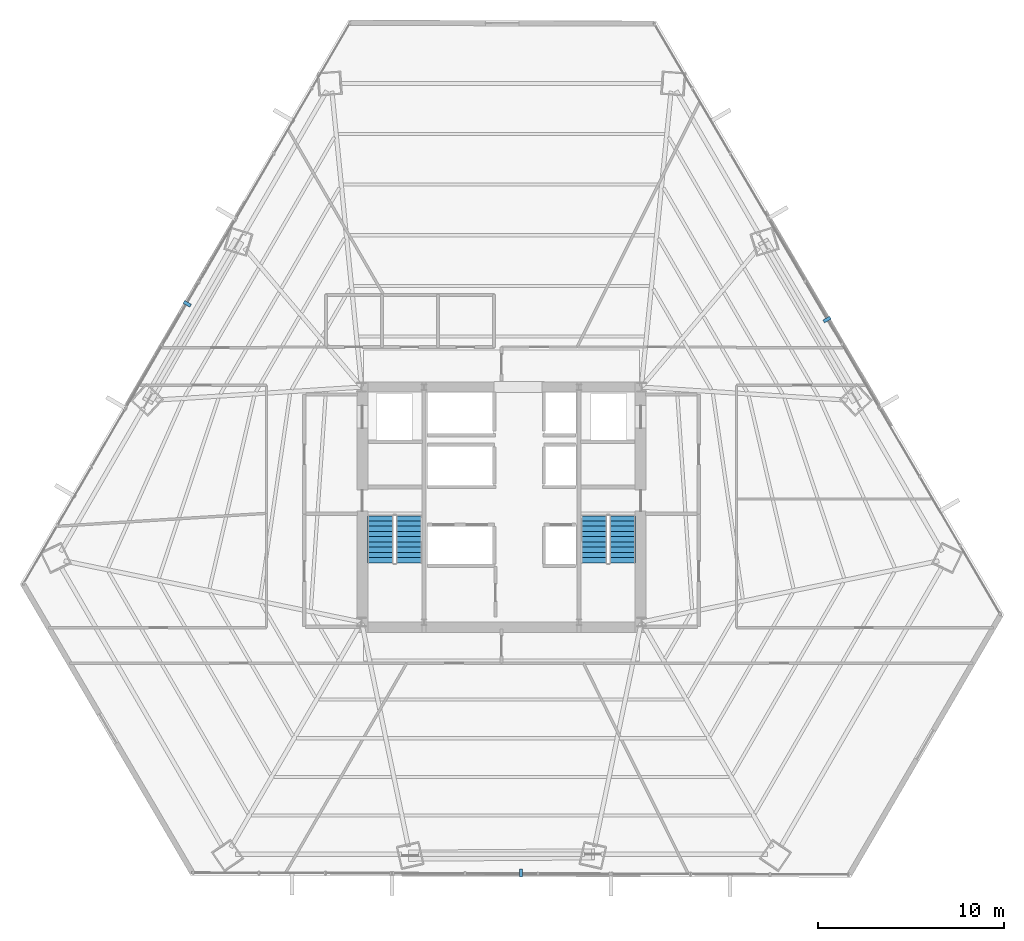
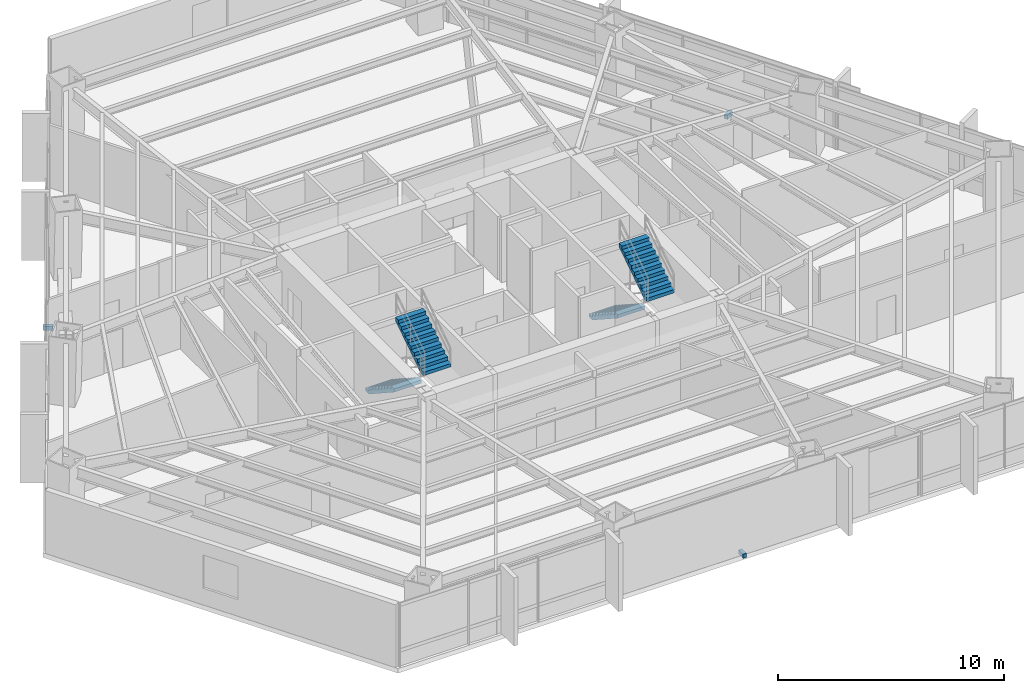
# One storey, part 26 of 29: 4 stair flights, 3 discrete accessories, 2 elements without a shape of their own.
"""IFC4 building model written with IfcOpenShell, lengths in metres."""

from ifc_helpers import new_model, si_unit, direction, frame, origin, origin_2d, place, context, subcontext, project, spatial, polyline, rectangle, outline, extrude, source, transform, mapped, material, type_object, type_shapes, element, aggregate, save


model = new_model("IFC4")

# Units and contexts
model_context = context("Model", 3, precision=1e-05, world=origin(), true_north=direction((0.0, 1.0)))
body_context = subcontext(model_context, "Body", "Model", "MODEL_VIEW")
ifc_project = project(units=[si_unit("LENGTHUNIT", "METRE"), si_unit("AREAUNIT", "SQUARE_METRE"), si_unit("VOLUMEUNIT", "CUBIC_METRE"), si_unit("PLANEANGLEUNIT", "RADIAN"), si_unit("MASSUNIT", "GRAM", prefix="KILO")], contexts=[model_context])

# Site, building, storey
site_placement = place(None, origin())
site = spatial("IfcSite", under=ifc_project, at=site_placement, CompositionType="ELEMENT")
building_placement = place(site_placement, origin())
building = spatial("IfcBuilding", under=site, at=building_placement, Name="Caelisora Broadcast Tower", CompositionType="ELEMENT")
storey_placement = place(building_placement, frame((0.0, 0.0, 31.25)))
storey = spatial("IfcBuildingStorey", under=building, at=storey_placement, Name="L07", CompositionType="ELEMENT", Elevation=31.25)

# Stair, stair flights
ifc_material_1 = material(Name="Concrete 40 MPa (AS 3600 N40)", Category="concrete")
stair_type_1 = type_object("IfcStairType", Name="ST-1", PredefinedType="HALF_TURN_STAIR", material=ifc_material_1)
stair_1_placement = place(storey_placement, origin())
stair_1 = element("IfcStair", 1, at=stair_1_placement, inside=storey, type_object=stair_type_1, Name="L07 West Fire-Isolated Tower Stair", PredefinedType="HALF_TURN_STAIR")
stair_flight_type = type_object("IfcStairFlightType", Name="STF-2", PredefinedType="STRAIGHT", material=ifc_material_1)
stair_flight_1_placement = place(storey_placement, frame((31.52001953125, 23.10009765625, 0.0), z_axis=(0.0, 0.0, 1.0), x_axis=(0.0, -1.0, 0.0)))
stair_flight_1 = element("IfcStairFlight", 2, at=stair_flight_1_placement, type_object=stair_flight_type, Name="ST-1 flight 1", NumberOfRisers=10, NumberOfTreads=9, PredefinedType="STRAIGHT", RiserHeight=0.1825, TreadLength=0.28, context=body_context, shape_type="SweptSolid", body=[
    extrude(outline(polyline([(0.0, 0.0), (0.0, 0.1826171875), (0.280029296875, 0.1826171875), (0.280029296875, 0.364990234375), (0.56005859375, 0.364990234375), (0.56005859375, 0.547607421875), (0.840087890625, 0.547607421875), (0.840087890625, 0.72998046875), (1.1201171875, 0.72998046875), (1.1201171875, 0.91259765625), (1.39990234375, 0.91259765625), (1.39990234375, 1.094970703125), (1.679931640625, 1.094970703125), (1.679931640625, 1.277587890625), (1.9599609375, 1.277587890625), (1.9599609375, 1.4599609375), (2.239990234375, 1.4599609375), (2.239990234375, 1.642578125), (2.52001953125, 1.642578125), (2.52001953125, 1.824951171875), (2.52001953125, 1.463623046875), (0.2744140625, 0.0), (0.0, 0.0)])), frame((0.0, 0.699951171875, 0.0), z_axis=(0.0, -1.0, 0.0), x_axis=(1.0, 0.0, 0.0)), (0.0, 0.0, 1.0), 1.39990234375),
])
stair_flight_2_placement = place(storey_placement, frame((33.0400390625, 20.580078125, 1.824951171875), z_axis=(0.0, 0.0, 1.0), x_axis=(0.0, 1.0, 0.0)))
stair_flight_2 = element("IfcStairFlight", 3, at=stair_flight_2_placement, type_object=stair_flight_type, Name="ST-1 flight 2", NumberOfRisers=10, NumberOfTreads=9, PredefinedType="STRAIGHT", RiserHeight=0.1825, TreadLength=0.28, context=body_context, shape_type="SweptSolid", body=[
    extrude(outline(polyline([(0.0, 0.0), (0.0, 0.1826171875), (0.280029296875, 0.1826171875), (0.280029296875, 0.364990234375), (0.56005859375, 0.364990234375), (0.56005859375, 0.547607421875), (0.840087890625, 0.547607421875), (0.840087890625, 0.72998046875), (1.1201171875, 0.72998046875), (1.1201171875, 0.91259765625), (1.39990234375, 0.91259765625), (1.39990234375, 1.094970703125), (1.679931640625, 1.094970703125), (1.679931640625, 1.277587890625), (1.9599609375, 1.277587890625), (1.9599609375, 1.4599609375), (2.239990234375, 1.4599609375), (2.239990234375, 1.642578125), (2.52001953125, 1.642578125), (2.52001953125, 1.824951171875), (2.52001953125, 1.463623046875), (0.2744140625, 0.0), (0.0, 0.0)])), frame((0.0, 0.699951171875, 0.0), z_axis=(0.0, -1.0, 0.0), x_axis=(1.0, 0.0, 0.0)), (0.0, 0.0, 1.0), 1.39990234375),
])
aggregate(stair_1, [stair_flight_1, stair_flight_2])

stair_type_2 = type_object("IfcStairType", Name="ST-2", PredefinedType="HALF_TURN_STAIR", material=ifc_material_1)
stair_2_placement = place(storey_placement, origin())
stair_2 = element("IfcStair", 4, at=stair_2_placement, inside=storey, type_object=stair_type_2, Name="L07 East Fire-Isolated Tower Stair", PredefinedType="HALF_TURN_STAIR")
stair_flight_3_placement = place(storey_placement, frame((42.9599609375, 23.10009765625, 0.0), z_axis=(0.0, 0.0, 1.0), x_axis=(0.0, -1.0, 0.0)))
stair_flight_3 = element("IfcStairFlight", 5, at=stair_flight_3_placement, type_object=stair_flight_type, Name="ST-2 flight 1", NumberOfRisers=10, NumberOfTreads=9, PredefinedType="STRAIGHT", RiserHeight=0.1825, TreadLength=0.28, context=body_context, shape_type="SweptSolid", body=[
    extrude(outline(polyline([(0.0, 0.0), (0.0, 0.1826171875), (0.280029296875, 0.1826171875), (0.280029296875, 0.364990234375), (0.56005859375, 0.364990234375), (0.56005859375, 0.547607421875), (0.840087890625, 0.547607421875), (0.840087890625, 0.72998046875), (1.1201171875, 0.72998046875), (1.1201171875, 0.91259765625), (1.39990234375, 0.91259765625), (1.39990234375, 1.094970703125), (1.679931640625, 1.094970703125), (1.679931640625, 1.277587890625), (1.9599609375, 1.277587890625), (1.9599609375, 1.4599609375), (2.239990234375, 1.4599609375), (2.239990234375, 1.642578125), (2.52001953125, 1.642578125), (2.52001953125, 1.824951171875), (2.52001953125, 1.463623046875), (0.2744140625, 0.0), (0.0, 0.0)])), frame((0.0, 0.699951171875, 0.0), z_axis=(0.0, -1.0, 0.0), x_axis=(1.0, 0.0, 0.0)), (0.0, 0.0, 1.0), 1.39990234375),
])
stair_flight_4_placement = place(storey_placement, frame((44.47998046875, 20.580078125, 1.824951171875), z_axis=(0.0, 0.0, 1.0), x_axis=(0.0, 1.0, 0.0)))
stair_flight_4 = element("IfcStairFlight", 6, at=stair_flight_4_placement, type_object=stair_flight_type, Name="ST-2 flight 2", NumberOfRisers=10, NumberOfTreads=9, PredefinedType="STRAIGHT", RiserHeight=0.1825, TreadLength=0.28, context=body_context, shape_type="SweptSolid", body=[
    extrude(outline(polyline([(0.0, 0.0), (0.0, 0.1826171875), (0.280029296875, 0.1826171875), (0.280029296875, 0.364990234375), (0.56005859375, 0.364990234375), (0.56005859375, 0.547607421875), (0.840087890625, 0.547607421875), (0.840087890625, 0.72998046875), (1.1201171875, 0.72998046875), (1.1201171875, 0.91259765625), (1.39990234375, 0.91259765625), (1.39990234375, 1.094970703125), (1.679931640625, 1.094970703125), (1.679931640625, 1.277587890625), (1.9599609375, 1.277587890625), (1.9599609375, 1.4599609375), (2.239990234375, 1.4599609375), (2.239990234375, 1.642578125), (2.52001953125, 1.642578125), (2.52001953125, 1.824951171875), (2.52001953125, 1.463623046875), (0.2744140625, 0.0), (0.0, 0.0)])), frame((0.0, 0.699951171875, 0.0), z_axis=(0.0, -1.0, 0.0), x_axis=(1.0, 0.0, 0.0)), (0.0, 0.0, 1.0), 1.39990234375),
])
aggregate(stair_2, [stair_flight_3, stair_flight_4])

# Discrete accessories
ifc_material_2 = material(Name="Steel Grade 350 (AS/NZS 3679.1)", Category="steel")
discrete_accessory_type = type_object("IfcDiscreteAccessoryType", Name="BRK-1", PredefinedType="BRACKET", material=ifc_material_2)
shared_shape = source(origin(), body_context, "Body", "SweptSolid", [
    extrude(rectangle(XDim=0.179931640625, YDim=0.419921875, at=origin_2d()), origin(), (0.0, 0.0, 1.0), 0.219970703125),
])
type_shapes(discrete_accessory_type, [shared_shape])
for number, where, z_axis, x_axis, name in (
    (7, (21.146484375, 34.468017578125, -0.16015625), (0.0, 0.0, 1.0), (-0.503321604797, -0.864099162217, 0.0), "L07 solar screen outrigger bracket #1"),
    (8, (39.04345703125, 3.9375, -0.16015625), (0.0, 0.0, 1.0), (0.9999961009, -0.002792523174, 0.0), "L07 solar screen outrigger bracket #2"),
    (9, (55.456787109375, 33.62255859375, -0.16015625), (0.0, 0.0, 1.0), (-0.505582083675, 0.862778509623, 0.0), "L07 solar screen outrigger bracket #3"),
):
    element("IfcDiscreteAccessory", number, at=place(storey_placement, frame(where, z_axis=z_axis, x_axis=x_axis)), inside=storey, type_object=discrete_accessory_type, Name=name, PredefinedType="BRACKET", context=body_context, shape_type="MappedRepresentation", body=[
        mapped(shared_shape, transform((0.0, 0.0, 0.0), scale=1.0)),
    ])

save(model, "model.ifc")
